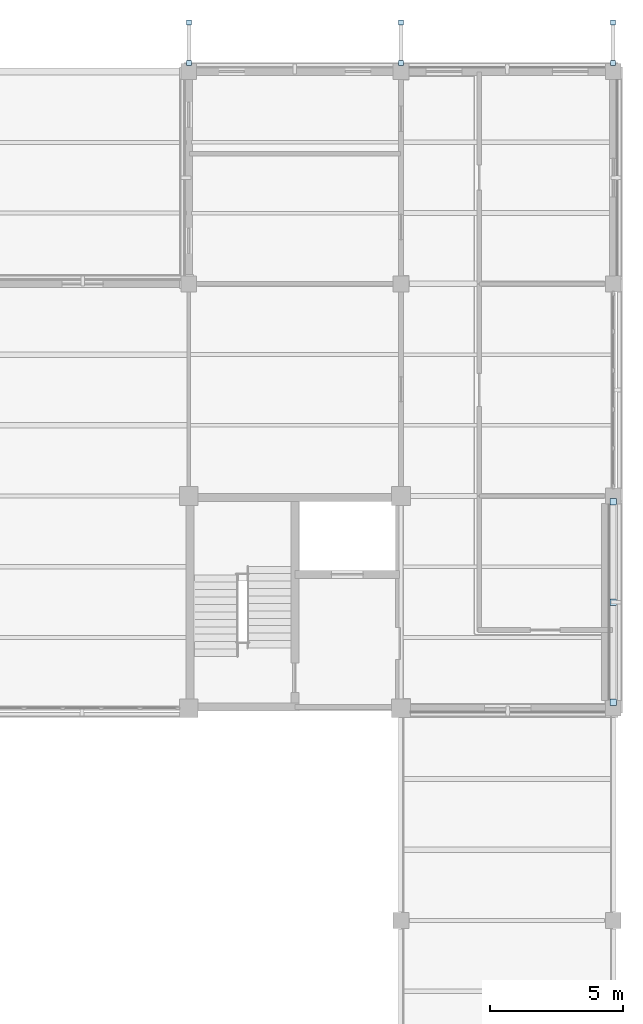
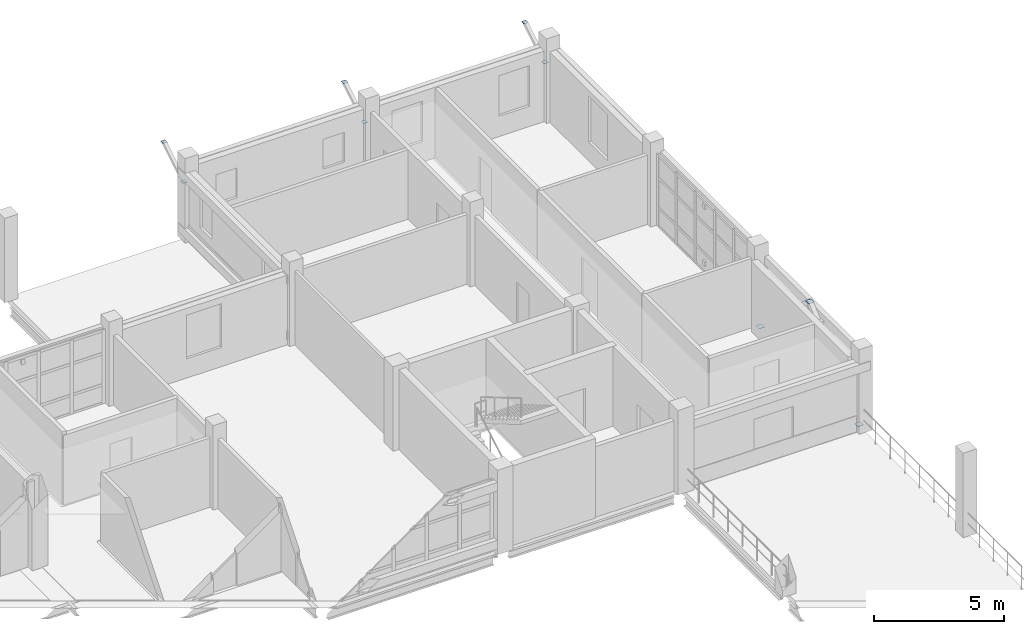
# One storey, part 22 of 35: 9 plates.
"""IFC4 building model written with IfcOpenShell, lengths in metres."""

from ifc_helpers import new_model, si_unit, derived_unit, direction, frame, origin, origin_2d, place, context, subcontext, project, spatial, rectangle, extrude, material, layer, layer_set, type_object, element, save


model = new_model("IFC4")

# Units and contexts
model_context = context("Model", 3, precision=1e-05, world=origin(), true_north=direction((0.0, 1.0)))
body_context = subcontext(model_context, "Body", "Model", "MODEL_VIEW")
ifc_project = project(units=[si_unit("LENGTHUNIT", "METRE"), si_unit("AREAUNIT", "SQUARE_METRE"), si_unit("VOLUMEUNIT", "CUBIC_METRE"), si_unit("PLANEANGLEUNIT", "RADIAN"), si_unit("MASSUNIT", "GRAM", prefix="KILO"), derived_unit("THERMALTRANSMITTANCEUNIT", [(si_unit("MASSUNIT", "GRAM", prefix="KILO"), 1), (si_unit("TIMEUNIT", "SECOND"), -3), (si_unit("THERMODYNAMICTEMPERATUREUNIT", "KELVIN"), -1)])], contexts=[model_context])

# Site, building, storey
site_placement = place(None, origin())
site = spatial("IfcSite", under=ifc_project, at=site_placement, CompositionType="ELEMENT")
building_placement = place(site_placement, origin())
building = spatial("IfcBuilding", under=site, at=building_placement, Name="Veyamyaing Civic Hall", CompositionType="ELEMENT")
storey_placement = place(building_placement, frame((0.0, 0.0, 21.780029296875)))
storey = spatial("IfcBuildingStorey", under=building, at=storey_placement, Name="L05", CompositionType="ELEMENT", Elevation=21.780029296875)

# Plates
ifc_material = material(Name="Steel S355J2", Category="steel")
ifc_layer_1 = layer(ifc_material, 0.01806640625, Name="Steel S355J2")
ifc_layer_set_1 = layer_set([ifc_layer_1], Name="Steel S355J2")
plate_type_1 = type_object("IfcPlateType", Name="GP-02", PredefinedType="SHEET", material=ifc_layer_set_1)
for number, where, z_axis, x_axis, name in (
    (1, (176.0, 88.219970703125, 0.041015625), (0.0, 0.0, 1.0), (1.0, 0.0, 0.0), "Brace base gusset plate GP-02 BF-NE L05.L"),
    (2, (176.0, 95.780029296875, 0.041015625), (0.0, 0.0, 1.0), (1.0, 0.0, 0.0), "Brace base gusset plate GP-02 BF-NE L05.R"),
    (3, (176.0, 92.0, 3.5009765625), (0.0, 0.0, 1.0), (1.0, 0.0, 0.0), "Brace apex gusset plate GP-02 BF-NE L05"),
):
    element("IfcPlate", number, at=place(storey_placement, frame(where, z_axis=z_axis, x_axis=x_axis)), inside=storey, type_object=plate_type_1, Name=name, PredefinedType="SHEET", context=body_context, shape_type="SweptSolid", body=[
        extrude(rectangle(XDim=0.25, YDim=0.25, at=origin_2d()), origin(), (0.0, 0.0, 1.0), 0.01806640625),
    ])
ifc_layer_2 = layer(ifc_material, 0.01611328125, Name="Steel S355J2")
ifc_layer_set_2 = layer_set([ifc_layer_2], Name="Steel S355J2")
plate_type_2 = type_object("IfcPlateType", Name="GP-03", PredefinedType="SHEET", material=ifc_layer_set_2)
for number, where, z_axis, x_axis, name in (
    (4, (160.0, 112.320068359375, 2.40185546875), (0.0, 0.0, 1.0), (0.0, 1.0, 0.0), "Eave strut end-cap plate GP-03 V4-NE.20.1"),
    (5, (160.0, 113.85009765625, 3.341796875), (0.0, 0.0, 1.0), (0.0, 1.0, 0.0), "Eave strut end-cap plate GP-03 V4-NE.20.2"),
    (6, (168.0, 112.320068359375, 2.40185546875), (0.0, 0.0, 1.0), (0.0, 1.0, 0.0), "Eave strut end-cap plate GP-03 V4-NE.21.1"),
    (7, (168.0, 113.85009765625, 3.341796875), (0.0, 0.0, 1.0), (0.0, 1.0, 0.0), "Eave strut end-cap plate GP-03 V4-NE.21.2"),
    (8, (176.0, 112.320068359375, 2.40185546875), (0.0, 0.0, 1.0), (0.0, 1.0, 0.0), "Eave strut end-cap plate GP-03 V4-NE.22.1"),
    (9, (176.0, 113.85009765625, 3.341796875), (0.0, 0.0, 1.0), (0.0, 1.0, 0.0), "Eave strut end-cap plate GP-03 V4-NE.22.2"),
):
    element("IfcPlate", number, at=place(storey_placement, frame(where, z_axis=z_axis, x_axis=x_axis)), inside=storey, type_object=plate_type_2, Name=name, PredefinedType="SHEET", context=body_context, shape_type="SweptSolid", body=[
        extrude(rectangle(XDim=0.18994140625, YDim=0.18994140625, at=origin_2d()), origin(), (0.0, 0.0, 1.0), 0.01611328125),
    ])

save(model, "model.ifc")
